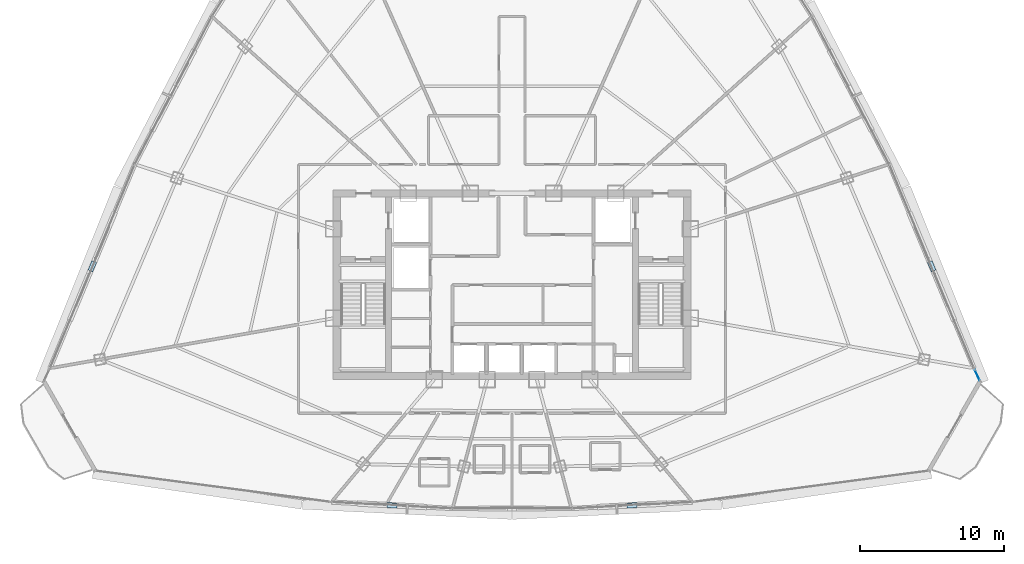
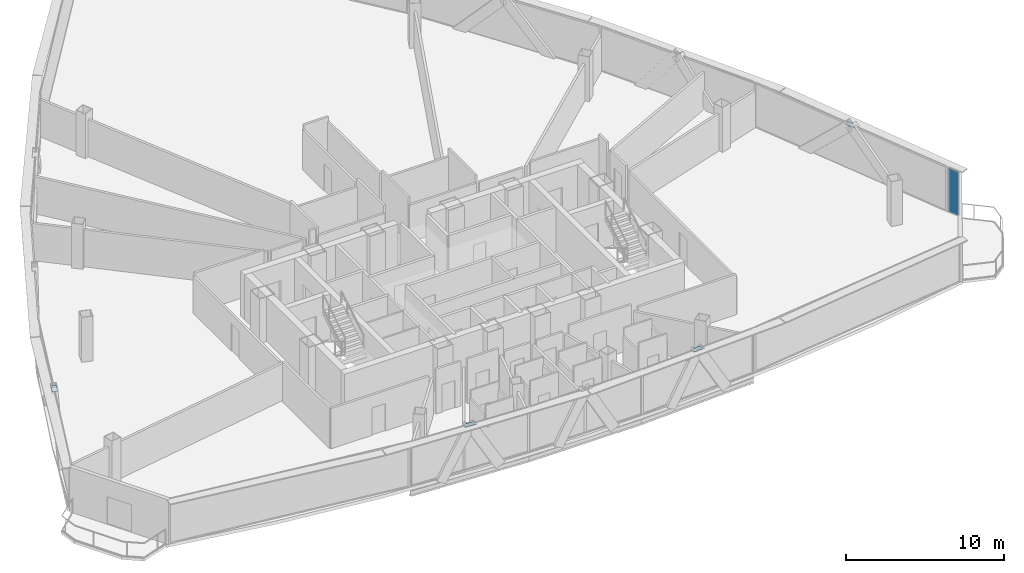
# One storey, part 30 of 37: 5 plates, 1 element without a shape of its own.
"""IFC4 building model written with IfcOpenShell, lengths in metres."""

from ifc_helpers import new_model, si_unit, direction, frame, origin, origin_2d, place, context, subcontext, project, spatial, rectangle, extrude, source, transform, mapped, material, layer, layer_set, type_object, element, aggregate, save


model = new_model("IFC4")

# Units and contexts
model_context = context("Model", 3, precision=1e-05, world=origin(), true_north=direction((0.0, 1.0)))
body_context = subcontext(model_context, "Body", "Model", "MODEL_VIEW")
ifc_project = project(units=[si_unit("LENGTHUNIT", "METRE"), si_unit("AREAUNIT", "SQUARE_METRE"), si_unit("VOLUMEUNIT", "CUBIC_METRE"), si_unit("PLANEANGLEUNIT", "RADIAN"), si_unit("MASSUNIT", "GRAM", prefix="KILO"), si_unit("THERMODYNAMICTEMPERATUREUNIT", "KELVIN"), si_unit("POWERUNIT", "WATT")], contexts=[model_context])

# Site, building, storey
site_placement = place(None, origin())
site = spatial("IfcSite", under=ifc_project, at=site_placement, CompositionType="ELEMENT")
building_placement = place(site_placement, origin())
building = spatial("IfcBuilding", under=site, at=building_placement, Name="Yunzhuo Pagoda Commons", CompositionType="ELEMENT")
storey_placement = place(building_placement, frame((0.0, 0.0, 277.56005859375)))
storey = spatial("IfcBuildingStorey", under=building, at=storey_placement, Name="L69", CompositionType="ELEMENT", Elevation=277.56005859375)

# Plates
ifc_material_1 = material(Name="Structural steel Q355B", Category="steel")
ifc_layer_1 = layer(ifc_material_1, 0.028076171875)
ifc_layer_set_1 = layer_set([ifc_layer_1], Name="Structural steel Q355B")
plate_type_1 = type_object("IfcPlateType", Name="SP-ND1 Lattice Node Cap Plate 800x500x28", PredefinedType="USERDEFINED", material=ifc_layer_set_1)
shared_shape_1 = source(origin(), body_context, "Body", "SweptSolid", [
    extrude(rectangle(XDim=0.699951171875, YDim=0.35009765625, at=origin_2d()), origin(), (0.0, 0.0, 1.0), 0.035888671875),
])
for number, where, z_axis, x_axis, name in (
    (1, (39.649169921875, 18.498291015625, 3.43212890625), (0.0, 0.0, 1.0), (0.998603839336, -0.052823972429, 0.0), "L69 setback lattice tie plate F1.1L"),
    (2, (56.350830078125, 18.498291015625, 3.43212890625), (0.0, 0.0, 1.0), (0.998603839336, 0.052823972429, 0.0), "L69 setback lattice tie plate F1.3L"),
    (3, (77.19921875, 35.1298828125, 3.43212890625), (0.0, 0.0, 1.0), (-0.383860227441, 0.923391209504, 0.0), "L69 setback lattice tie plate F2.1L"),
    (4, (18.80078125, 35.1298828125, 3.43212890625), (0.0, 0.0, 1.0), (-0.383860227441, -0.923391209504, 0.0), "L69 setback lattice tie plate F3.3L"),
):
    element("IfcPlate", number, at=place(storey_placement, frame(where, z_axis=z_axis, x_axis=x_axis)), inside=storey, type_object=plate_type_1, Name=name, ObjectType="STIFFENER_PLATE", PredefinedType="USERDEFINED", context=body_context, shape_type="MappedRepresentation", body=[
        mapped(shared_shape_1, transform((0.0, 0.0, 0.0), scale=1.0)),
    ])

# Curtain wall, plate
ifc_material_2 = material(Name="Anodized aluminium 6063-T6", Category="aluminium")
ifc_layer_2 = layer(ifc_material_2, 0.139892578125)
ifc_layer_set_2 = layer_set([ifc_layer_2], Name="Anodized aluminium 6063-T6")
curtain_wall_type = type_object("IfcCurtainWallType", Name="CW-HI High-Zone Ribbon Curtain Wall", PredefinedType="NOTDEFINED", material=ifc_layer_set_2)
curtain_wall_placement = place(storey_placement, origin())
curtain_wall = element("IfcCurtainWall", 5, at=curtain_wall_placement, inside=storey, type_object=curtain_wall_type, Name="L69 curtain wall CW-L69-F2B1", PredefinedType="NOTDEFINED")
ifc_material_3 = material(Name="Tempered low-e double glazing", Category="glass")
ifc_layer_3 = layer(ifc_material_3, 0.02587890625)
ifc_layer_set_3 = layer_set([ifc_layer_3], Name="Tempered low-e double glazing")
plate_type_2 = type_object("IfcPlateType", Name="CW-HI-P Low-E Double Glazing 26", PredefinedType="CURTAIN_PANEL", material=ifc_layer_set_3)
shared_shape_2 = source(origin(), body_context, "Body", "SweptSolid", [
    extrude(rectangle(XDim=0.802734375, YDim=0.028076171875, at=origin_2d()), origin(), (0.0, 0.0, 1.0), 3.360107421875),
])
plate_placement = place(storey_placement, frame((80.376220703125, 27.544677734375, 0.0546875), z_axis=(0.0, 0.0, 1.0), x_axis=(-0.421407442389, 0.906871417291, 0.0)))
plate = element("IfcPlate", 6, at=plate_placement, type_object=plate_type_2, Name="CW panel 1.1", PredefinedType="CURTAIN_PANEL", context=body_context, shape_type="MappedRepresentation", body=[
    mapped(shared_shape_2, transform((0.0, 0.0, 0.0), scale=1.0)),
])
aggregate(curtain_wall, [plate])

save(model, "model.ifc")
